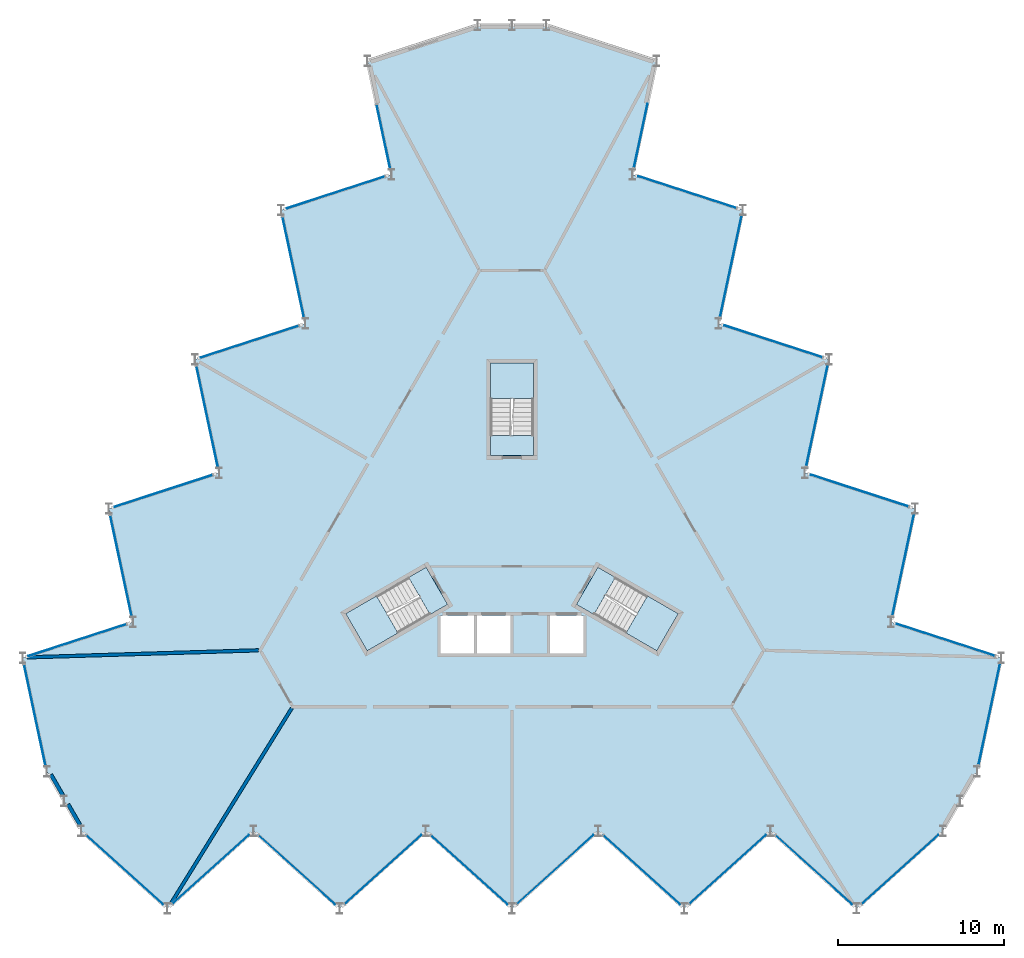
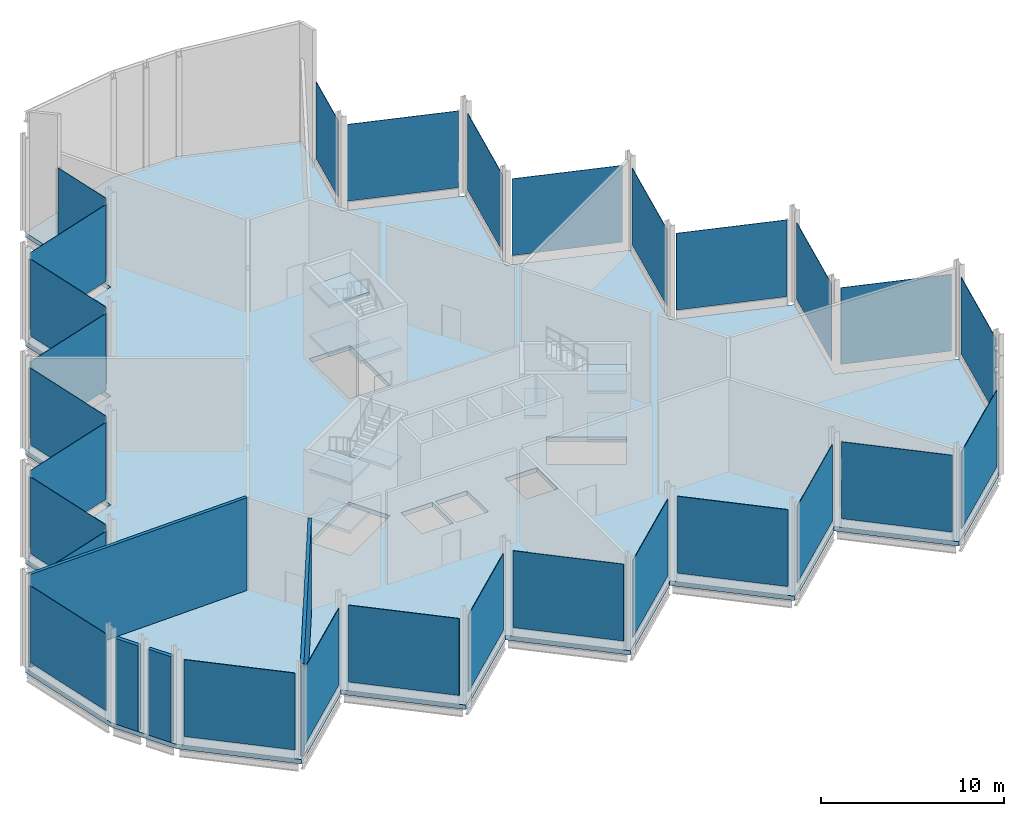
# One storey, part 9 of 12: 28 plates, 10 slabs, 4 walls, 31 elements without a shape of their own.
"""IFC4 building model written with IfcOpenShell, lengths in metres."""

from ifc_helpers import new_model, si_unit, direction, frame, frame_2d, origin, origin_2d, place, context, subcontext, project, spatial, polyline, rectangle, outline, extrude, material, layer, layer_set, type_object, element, aggregate, save


model = new_model("IFC4")

# Units and contexts
model_context = context("Model", 3, precision=1e-05, world=origin(), true_north=direction((0.0, 1.0)))
body_context = subcontext(model_context, "Body", "Model", "MODEL_VIEW")
ifc_project = project(units=[si_unit("LENGTHUNIT", "METRE"), si_unit("AREAUNIT", "SQUARE_METRE"), si_unit("VOLUMEUNIT", "CUBIC_METRE"), si_unit("PLANEANGLEUNIT", "RADIAN"), si_unit("MASSUNIT", "GRAM", prefix="KILO")], contexts=[model_context])

# Site, building, storey
site_placement = place(None, origin())
site = spatial("IfcSite", under=ifc_project, at=site_placement, CompositionType="ELEMENT")
building_placement = place(site_placement, origin())
building = spatial("IfcBuilding", under=site, at=building_placement, Name="Cormorant Prow Tower", CompositionType="ELEMENT")
storey_placement = place(building_placement, frame((0.0, 0.0, 428.199951171875)))
storey = spatial("IfcBuildingStorey", under=building, at=storey_placement, Name="L96", CompositionType="ELEMENT", Elevation=428.199951171875)

# Curtain wall, plate
ifc_material_1 = material(Name="Aluminium 6063-T6", Category="aluminium")
ifc_layer_1 = layer(ifc_material_1, 0.219970703125)
ifc_layer_set_1 = layer_set([ifc_layer_1], Name="Aluminium 6063-T6")
curtain_wall_type = type_object("IfcCurtainWallType", Name="Crown unitised curtain wall 220", PredefinedType="NOTDEFINED", material=ifc_layer_set_1)
curtain_wall_1_placement = place(storey_placement, origin())
curtain_wall_1 = element("IfcCurtainWall", 1, at=curtain_wall_1_placement, inside=storey, type_object=curtain_wall_type, Name="Crown curtain wall crown S00", PredefinedType="NOTDEFINED")
ifc_material_2 = material(Name="Clear glass", Category="glass")
ifc_layer_2 = layer(ifc_material_2, 0.031982421875)
ifc_layer_set_2 = layer_set([ifc_layer_2], Name="Clear glass")
plate_type = type_object("IfcPlateType", Name="Crown glass panel 32", PredefinedType="CURTAIN_PANEL", material=ifc_layer_set_2)
plate_1_placement = place(storey_placement, frame((-23.377685546875, -19.766845703125, 0.60009765625), z_axis=(0.0, 0.0, 1.0), x_axis=(0.743144827638, -0.669130603959, 0.0)))
plate_1 = element("IfcPlate", 2, at=plate_1_placement, type_object=plate_type, Name="Crown glass panel crown S00", PredefinedType="CURTAIN_PANEL", context=body_context, shape_type="SweptSolid", body=[
    extrude(rectangle(XDim=6.205322265625, YDim=0.031982421875, at=origin_2d()), origin(), (0.0, 0.0, 1.0), 5.1337890625),
])
aggregate(curtain_wall_1, [plate_1])

curtain_wall_2_placement = place(storey_placement, origin())
curtain_wall_2 = element("IfcCurtainWall", 3, at=curtain_wall_2_placement, inside=storey, type_object=curtain_wall_type, Name="Crown curtain wall crown S01", PredefinedType="NOTDEFINED")
plate_2_placement = place(storey_placement, frame((-18.177734375, -19.726806640625, 0.60009765625), z_axis=(0.0, 0.0, 1.0), x_axis=(0.743144827638, 0.669130603959, 0.0)))
plate_2 = element("IfcPlate", 4, at=plate_2_placement, type_object=plate_type, Name="Crown glass panel crown S01", PredefinedType="CURTAIN_PANEL", context=body_context, shape_type="SweptSolid", body=[
    extrude(rectangle(XDim=6.205322265625, YDim=0.031982421875, at=origin_2d()), origin(), (0.0, 0.0, 1.0), 5.1337890625),
])
aggregate(curtain_wall_2, [plate_2])

curtain_wall_3_placement = place(storey_placement, origin())
curtain_wall_3 = element("IfcCurtainWall", 5, at=curtain_wall_3_placement, inside=storey, type_object=curtain_wall_type, Name="Crown curtain wall crown S02", PredefinedType="NOTDEFINED")
plate_3_placement = place(storey_placement, frame((-12.977783203125, -19.766845703125, 0.60009765625), z_axis=(0.0, 0.0, 1.0), x_axis=(0.743144827638, -0.669130603959, 0.0)))
plate_3 = element("IfcPlate", 6, at=plate_3_placement, type_object=plate_type, Name="Crown glass panel crown S02", PredefinedType="CURTAIN_PANEL", context=body_context, shape_type="SweptSolid", body=[
    extrude(rectangle(XDim=6.205322265625, YDim=0.031982421875, at=origin_2d()), origin(), (0.0, 0.0, 1.0), 5.1337890625),
])
aggregate(curtain_wall_3, [plate_3])

curtain_wall_4_placement = place(storey_placement, origin())
curtain_wall_4 = element("IfcCurtainWall", 7, at=curtain_wall_4_placement, inside=storey, type_object=curtain_wall_type, Name="Crown curtain wall crown S03", PredefinedType="NOTDEFINED")
plate_4_placement = place(storey_placement, frame((-7.777587890625, -19.726806640625, 0.60009765625), z_axis=(0.0, 0.0, 1.0), x_axis=(0.743144827638, 0.669130603959, 0.0)))
plate_4 = element("IfcPlate", 8, at=plate_4_placement, type_object=plate_type, Name="Crown glass panel crown S03", PredefinedType="CURTAIN_PANEL", context=body_context, shape_type="SweptSolid", body=[
    extrude(rectangle(XDim=6.205322265625, YDim=0.031982421875, at=origin_2d()), origin(), (0.0, 0.0, 1.0), 5.1337890625),
])
aggregate(curtain_wall_4, [plate_4])

curtain_wall_5_placement = place(storey_placement, origin())
curtain_wall_5 = element("IfcCurtainWall", 9, at=curtain_wall_5_placement, inside=storey, type_object=curtain_wall_type, Name="Crown curtain wall crown S04", PredefinedType="NOTDEFINED")
plate_5_placement = place(storey_placement, frame((-2.57763671875, -19.766845703125, 0.60009765625), z_axis=(0.0, 0.0, 1.0), x_axis=(0.743144827638, -0.669130603959, 0.0)))
plate_5 = element("IfcPlate", 10, at=plate_5_placement, type_object=plate_type, Name="Crown glass panel crown S04", PredefinedType="CURTAIN_PANEL", context=body_context, shape_type="SweptSolid", body=[
    extrude(rectangle(XDim=6.205322265625, YDim=0.031982421875, at=origin_2d()), origin(), (0.0, 0.0, 1.0), 5.1337890625),
])
aggregate(curtain_wall_5, [plate_5])

curtain_wall_6_placement = place(storey_placement, origin())
curtain_wall_6 = element("IfcCurtainWall", 11, at=curtain_wall_6_placement, inside=storey, type_object=curtain_wall_type, Name="Crown curtain wall crown S05", PredefinedType="NOTDEFINED")
plate_6_placement = place(storey_placement, frame((2.622314453125, -19.726806640625, 0.60009765625), z_axis=(0.0, 0.0, 1.0), x_axis=(0.743144827638, 0.669130603959, 0.0)))
plate_6 = element("IfcPlate", 12, at=plate_6_placement, type_object=plate_type, Name="Crown glass panel crown S05", PredefinedType="CURTAIN_PANEL", context=body_context, shape_type="SweptSolid", body=[
    extrude(rectangle(XDim=6.205322265625, YDim=0.031982421875, at=origin_2d()), origin(), (0.0, 0.0, 1.0), 5.1337890625),
])
aggregate(curtain_wall_6, [plate_6])

curtain_wall_7_placement = place(storey_placement, origin())
curtain_wall_7 = element("IfcCurtainWall", 13, at=curtain_wall_7_placement, inside=storey, type_object=curtain_wall_type, Name="Crown curtain wall crown S06", PredefinedType="NOTDEFINED")
plate_7_placement = place(storey_placement, frame((7.822265625, -19.766845703125, 0.60009765625), z_axis=(0.0, 0.0, 1.0), x_axis=(0.743144827638, -0.669130603959, 0.0)))
plate_7 = element("IfcPlate", 14, at=plate_7_placement, type_object=plate_type, Name="Crown glass panel crown S06", PredefinedType="CURTAIN_PANEL", context=body_context, shape_type="SweptSolid", body=[
    extrude(rectangle(XDim=6.205322265625, YDim=0.031982421875, at=origin_2d()), origin(), (0.0, 0.0, 1.0), 5.1337890625),
])
aggregate(curtain_wall_7, [plate_7])

curtain_wall_8_placement = place(storey_placement, origin())
curtain_wall_8 = element("IfcCurtainWall", 15, at=curtain_wall_8_placement, inside=storey, type_object=curtain_wall_type, Name="Crown curtain wall crown S07", PredefinedType="NOTDEFINED")
plate_8_placement = place(storey_placement, frame((13.022216796875, -19.726806640625, 0.60009765625), z_axis=(0.0, 0.0, 1.0), x_axis=(0.743144827638, 0.669130603959, 0.0)))
plate_8 = element("IfcPlate", 16, at=plate_8_placement, type_object=plate_type, Name="Crown glass panel crown S07", PredefinedType="CURTAIN_PANEL", context=body_context, shape_type="SweptSolid", body=[
    extrude(rectangle(XDim=6.205322265625, YDim=0.031982421875, at=origin_2d()), origin(), (0.0, 0.0, 1.0), 5.1337890625),
])
aggregate(curtain_wall_8, [plate_8])

curtain_wall_9_placement = place(storey_placement, origin())
curtain_wall_9 = element("IfcCurtainWall", 17, at=curtain_wall_9_placement, inside=storey, type_object=curtain_wall_type, Name="Crown curtain wall crown S08", PredefinedType="NOTDEFINED")
plate_9_placement = place(storey_placement, frame((18.222412109375, -19.766845703125, 0.60009765625), z_axis=(0.0, 0.0, 1.0), x_axis=(0.743144827638, -0.669130603959, 0.0)))
plate_9 = element("IfcPlate", 18, at=plate_9_placement, type_object=plate_type, Name="Crown glass panel crown S08", PredefinedType="CURTAIN_PANEL", context=body_context, shape_type="SweptSolid", body=[
    extrude(rectangle(XDim=6.205322265625, YDim=0.031982421875, at=origin_2d()), origin(), (0.0, 0.0, 1.0), 5.1337890625),
])
aggregate(curtain_wall_9, [plate_9])

curtain_wall_10_placement = place(storey_placement, origin())
curtain_wall_10 = element("IfcCurtainWall", 19, at=curtain_wall_10_placement, inside=storey, type_object=curtain_wall_type, Name="Crown curtain wall crown S09", PredefinedType="NOTDEFINED")
plate_10_placement = place(storey_placement, frame((23.42236328125, -19.726806640625, 0.60009765625), z_axis=(0.0, 0.0, 1.0), x_axis=(0.743144827638, 0.669130603959, 0.0)))
plate_10 = element("IfcPlate", 20, at=plate_10_placement, type_object=plate_type, Name="Crown glass panel crown S09", PredefinedType="CURTAIN_PANEL", context=body_context, shape_type="SweptSolid", body=[
    extrude(rectangle(XDim=6.205322265625, YDim=0.031982421875, at=origin_2d()), origin(), (0.0, 0.0, 1.0), 5.1337890625),
])
aggregate(curtain_wall_10, [plate_10])

curtain_wall_11_placement = place(storey_placement, origin())
curtain_wall_11 = element("IfcCurtainWall", 21, at=curtain_wall_11_placement, inside=storey, type_object=curtain_wall_type, Name="Crown curtain wall crown ENE00", PredefinedType="NOTDEFINED")
plate_11_placement = place(storey_placement, frame((28.807373046875, -10.3623046875, 0.60009765625), z_axis=(0.0, 0.0, 1.0), x_axis=(0.207911620089, 0.978147615768, 0.0)))
plate_11 = element("IfcPlate", 22, at=plate_11_placement, type_object=plate_type, Name="Crown glass panel crown ENE00", PredefinedType="CURTAIN_PANEL", context=body_context, shape_type="SweptSolid", body=[
    extrude(rectangle(XDim=6.205322265625, YDim=0.031982421875, at=origin_2d()), origin(), (0.0, 0.0, 1.0), 5.1337890625),
])
aggregate(curtain_wall_11, [plate_11])

curtain_wall_12_placement = place(storey_placement, origin())
curtain_wall_12 = element("IfcCurtainWall", 23, at=curtain_wall_12_placement, inside=storey, type_object=curtain_wall_type, Name="Crown curtain wall crown ENE01", PredefinedType="NOTDEFINED")
plate_12_placement = place(storey_placement, frame((26.172607421875, -5.87890625, 0.60009765625), z_axis=(0.0, 0.0, 1.0), x_axis=(-0.951056534902, 0.309016937108, 0.0)))
plate_12 = element("IfcPlate", 24, at=plate_12_placement, type_object=plate_type, Name="Crown glass panel crown ENE01", PredefinedType="CURTAIN_PANEL", context=body_context, shape_type="SweptSolid", body=[
    extrude(rectangle(XDim=6.205322265625, YDim=0.031982421875, at=origin_2d()), origin(), (0.0, 0.0, 1.0), 5.1337890625),
])
aggregate(curtain_wall_12, [plate_12])

curtain_wall_13_placement = place(storey_placement, origin())
curtain_wall_13 = element("IfcCurtainWall", 25, at=curtain_wall_13_placement, inside=storey, type_object=curtain_wall_type, Name="Crown curtain wall crown ENE02", PredefinedType="NOTDEFINED")
plate_13_placement = place(storey_placement, frame((23.607421875, -1.355712890625, 0.60009765625), z_axis=(0.0, 0.0, 1.0), x_axis=(0.207911620089, 0.978147615768, 0.0)))
plate_13 = element("IfcPlate", 26, at=plate_13_placement, type_object=plate_type, Name="Crown glass panel crown ENE02", PredefinedType="CURTAIN_PANEL", context=body_context, shape_type="SweptSolid", body=[
    extrude(rectangle(XDim=6.205322265625, YDim=0.031982421875, at=origin_2d()), origin(), (0.0, 0.0, 1.0), 5.1337890625),
])
aggregate(curtain_wall_13, [plate_13])

curtain_wall_14_placement = place(storey_placement, origin())
curtain_wall_14 = element("IfcCurtainWall", 27, at=curtain_wall_14_placement, inside=storey, type_object=curtain_wall_type, Name="Crown curtain wall crown ENE03", PredefinedType="NOTDEFINED")
plate_14_placement = place(storey_placement, frame((20.97265625, 3.127685546875, 0.60009765625), z_axis=(0.0, 0.0, 1.0), x_axis=(-0.951056492904, 0.309017066365, 0.0)))
plate_14 = element("IfcPlate", 28, at=plate_14_placement, type_object=plate_type, Name="Crown glass panel crown ENE03", PredefinedType="CURTAIN_PANEL", context=body_context, shape_type="SweptSolid", body=[
    extrude(rectangle(XDim=6.205322265625, YDim=0.031982421875, at=origin_2d()), origin(), (0.0, 0.0, 1.0), 5.1337890625),
])
aggregate(curtain_wall_14, [plate_14])

curtain_wall_15_placement = place(storey_placement, origin())
curtain_wall_15 = element("IfcCurtainWall", 29, at=curtain_wall_15_placement, inside=storey, type_object=curtain_wall_type, Name="Crown curtain wall crown ENE04", PredefinedType="NOTDEFINED")
plate_15_placement = place(storey_placement, frame((18.407470703125, 7.651123046875, 0.60009765625), z_axis=(0.0, 0.0, 1.0), x_axis=(0.207911649162, 0.978147609588, 0.0)))
plate_15 = element("IfcPlate", 30, at=plate_15_placement, type_object=plate_type, Name="Crown glass panel crown ENE04", PredefinedType="CURTAIN_PANEL", context=body_context, shape_type="SweptSolid", body=[
    extrude(rectangle(XDim=6.205322265625, YDim=0.031982421875, at=origin_2d()), origin(), (0.0, 0.0, 1.0), 5.1337890625),
])
aggregate(curtain_wall_15, [plate_15])

curtain_wall_16_placement = place(storey_placement, origin())
curtain_wall_16 = element("IfcCurtainWall", 31, at=curtain_wall_16_placement, inside=storey, type_object=curtain_wall_type, Name="Crown curtain wall crown ENE05", PredefinedType="NOTDEFINED")
plate_16_placement = place(storey_placement, frame((15.772705078125, 12.13427734375, 0.60009765625), z_axis=(0.0, 0.0, 1.0), x_axis=(-0.951056492904, 0.309017066365, 0.0)))
plate_16 = element("IfcPlate", 32, at=plate_16_placement, type_object=plate_type, Name="Crown glass panel crown ENE05", PredefinedType="CURTAIN_PANEL", context=body_context, shape_type="SweptSolid", body=[
    extrude(rectangle(XDim=6.205322265625, YDim=0.031982421875, at=origin_2d()), origin(), (0.0, 0.0, 1.0), 5.1337890625),
])
aggregate(curtain_wall_16, [plate_16])

curtain_wall_17_placement = place(storey_placement, origin())
curtain_wall_17 = element("IfcCurtainWall", 33, at=curtain_wall_17_placement, inside=storey, type_object=curtain_wall_type, Name="Crown curtain wall crown ENE06", PredefinedType="NOTDEFINED")
plate_17_placement = place(storey_placement, frame((13.20751953125, 16.65771484375, 0.60009765625), z_axis=(0.0, 0.0, 1.0), x_axis=(0.207911620089, 0.978147615768, 0.0)))
plate_17 = element("IfcPlate", 34, at=plate_17_placement, type_object=plate_type, Name="Crown glass panel crown ENE06", PredefinedType="CURTAIN_PANEL", context=body_context, shape_type="SweptSolid", body=[
    extrude(rectangle(XDim=6.205322265625, YDim=0.031982421875, at=origin_2d()), origin(), (0.0, 0.0, 1.0), 5.1337890625),
])
aggregate(curtain_wall_17, [plate_17])

curtain_wall_18_placement = place(storey_placement, origin())
curtain_wall_18 = element("IfcCurtainWall", 35, at=curtain_wall_18_placement, inside=storey, type_object=curtain_wall_type, Name="Crown curtain wall crown ENE07", PredefinedType="NOTDEFINED")
plate_18_placement = place(storey_placement, frame((10.57275390625, 21.140869140625, 0.60009765625), z_axis=(0.0, 0.0, 1.0), x_axis=(-0.951056534902, 0.309016937108, 0.0)))
plate_18 = element("IfcPlate", 36, at=plate_18_placement, type_object=plate_type, Name="Crown glass panel crown ENE07", PredefinedType="CURTAIN_PANEL", context=body_context, shape_type="SweptSolid", body=[
    extrude(rectangle(XDim=6.205322265625, YDim=0.031982421875, at=origin_2d()), origin(), (0.0, 0.0, 1.0), 5.1337890625),
])
aggregate(curtain_wall_18, [plate_18])

curtain_wall_19_placement = place(storey_placement, origin())
curtain_wall_19 = element("IfcCurtainWall", 37, at=curtain_wall_19_placement, inside=storey, type_object=curtain_wall_type, Name="Crown curtain wall crown ENE08", PredefinedType="NOTDEFINED")
plate_19_placement = place(storey_placement, frame((7.771240234375, 24.552734375, 0.60009765625), z_axis=(0.0, 0.0, 1.0), x_axis=(0.207911620089, 0.978147615768, 0.0)))
plate_19 = element("IfcPlate", 38, at=plate_19_placement, type_object=plate_type, Name="Crown glass panel crown ENE08", PredefinedType="CURTAIN_PANEL", context=body_context, shape_type="SweptSolid", body=[
    extrude(rectangle(XDim=3.932373046875, YDim=0.031982421875, at=origin_2d()), origin(), (0.0, 0.0, 1.0), 5.1337890625),
])
aggregate(curtain_wall_19, [plate_19])

curtain_wall_20_placement = place(storey_placement, origin())
curtain_wall_20 = element("IfcCurtainWall", 39, at=curtain_wall_20_placement, inside=storey, type_object=curtain_wall_type, Name="Crown curtain wall crown WNW01", PredefinedType="NOTDEFINED")
plate_20_placement = place(storey_placement, frame((-7.7587890625, 24.494140625, 0.60009765625), z_axis=(0.0, 0.0, 1.0), x_axis=(0.207911620089, -0.978147615768, 0.0)))
plate_20 = element("IfcPlate", 40, at=plate_20_placement, type_object=plate_type, Name="Crown glass panel crown WNW01", PredefinedType="CURTAIN_PANEL", context=body_context, shape_type="SweptSolid", body=[
    extrude(rectangle(XDim=3.932373046875, YDim=0.031982421875, at=origin_2d()), origin(), (0.0, 0.0, 1.0), 5.1337890625),
])
aggregate(curtain_wall_20, [plate_20])

curtain_wall_21_placement = place(storey_placement, origin())
curtain_wall_21 = element("IfcCurtainWall", 41, at=curtain_wall_21_placement, inside=storey, type_object=curtain_wall_type, Name="Crown curtain wall crown WNW02", PredefinedType="NOTDEFINED")
plate_21_placement = place(storey_placement, frame((-10.629638671875, 21.12255859375, 0.60009765625), z_axis=(0.0, 0.0, 1.0), x_axis=(-0.951056534902, -0.309016937108, 0.0)))
plate_21 = element("IfcPlate", 42, at=plate_21_placement, type_object=plate_type, Name="Crown glass panel crown WNW02", PredefinedType="CURTAIN_PANEL", context=body_context, shape_type="SweptSolid", body=[
    extrude(rectangle(XDim=6.205322265625, YDim=0.031982421875, at=origin_2d()), origin(), (0.0, 0.0, 1.0), 5.1337890625),
])
aggregate(curtain_wall_21, [plate_21])

curtain_wall_22_placement = place(storey_placement, origin())
curtain_wall_22 = element("IfcCurtainWall", 43, at=curtain_wall_22_placement, inside=storey, type_object=curtain_wall_type, Name="Crown curtain wall crown WNW03", PredefinedType="NOTDEFINED")
plate_22_placement = place(storey_placement, frame((-13.195068359375, 16.59912109375, 0.60009765625), z_axis=(0.0, 0.0, 1.0), x_axis=(0.207911620089, -0.978147615768, 0.0)))
plate_22 = element("IfcPlate", 44, at=plate_22_placement, type_object=plate_type, Name="Crown glass panel crown WNW03", PredefinedType="CURTAIN_PANEL", context=body_context, shape_type="SweptSolid", body=[
    extrude(rectangle(XDim=6.205322265625, YDim=0.031982421875, at=origin_2d()), origin(), (0.0, 0.0, 1.0), 5.1337890625),
])
aggregate(curtain_wall_22, [plate_22])

curtain_wall_23_placement = place(storey_placement, origin())
curtain_wall_23 = element("IfcCurtainWall", 45, at=curtain_wall_23_placement, inside=storey, type_object=curtain_wall_type, Name="Crown curtain wall crown WNW04", PredefinedType="NOTDEFINED")
plate_23_placement = place(storey_placement, frame((-15.829833984375, 12.11572265625, 0.60009765625), z_axis=(0.0, 0.0, 1.0), x_axis=(-0.951056492904, -0.309017066365, 0.0)))
plate_23 = element("IfcPlate", 46, at=plate_23_placement, type_object=plate_type, Name="Crown glass panel crown WNW04", PredefinedType="CURTAIN_PANEL", context=body_context, shape_type="SweptSolid", body=[
    extrude(rectangle(XDim=6.205322265625, YDim=0.031982421875, at=origin_2d()), origin(), (0.0, 0.0, 1.0), 5.1337890625),
])
aggregate(curtain_wall_23, [plate_23])

curtain_wall_24_placement = place(storey_placement, origin())
curtain_wall_24 = element("IfcCurtainWall", 47, at=curtain_wall_24_placement, inside=storey, type_object=curtain_wall_type, Name="Crown curtain wall crown WNW05", PredefinedType="NOTDEFINED")
plate_24_placement = place(storey_placement, frame((-18.39501953125, 7.59228515625, 0.60009765625), z_axis=(0.0, 0.0, 1.0), x_axis=(0.207911649162, -0.978147609588, 0.0)))
plate_24 = element("IfcPlate", 48, at=plate_24_placement, type_object=plate_type, Name="Crown glass panel crown WNW05", PredefinedType="CURTAIN_PANEL", context=body_context, shape_type="SweptSolid", body=[
    extrude(rectangle(XDim=6.205322265625, YDim=0.031982421875, at=origin_2d()), origin(), (0.0, 0.0, 1.0), 5.1337890625),
])
aggregate(curtain_wall_24, [plate_24])

curtain_wall_25_placement = place(storey_placement, origin())
curtain_wall_25 = element("IfcCurtainWall", 49, at=curtain_wall_25_placement, inside=storey, type_object=curtain_wall_type, Name="Crown curtain wall crown WNW06", PredefinedType="NOTDEFINED")
plate_25_placement = place(storey_placement, frame((-21.02978515625, 3.109130859375, 0.60009765625), z_axis=(0.0, 0.0, 1.0), x_axis=(-0.951056492904, -0.309017066365, 0.0)))
plate_25 = element("IfcPlate", 50, at=plate_25_placement, type_object=plate_type, Name="Crown glass panel crown WNW06", PredefinedType="CURTAIN_PANEL", context=body_context, shape_type="SweptSolid", body=[
    extrude(rectangle(XDim=6.205322265625, YDim=0.031982421875, at=origin_2d()), origin(), (0.0, 0.0, 1.0), 5.1337890625),
])
aggregate(curtain_wall_25, [plate_25])

curtain_wall_26_placement = place(storey_placement, origin())
curtain_wall_26 = element("IfcCurtainWall", 51, at=curtain_wall_26_placement, inside=storey, type_object=curtain_wall_type, Name="Crown curtain wall crown WNW07", PredefinedType="NOTDEFINED")
plate_26_placement = place(storey_placement, frame((-23.594970703125, -1.414306640625, 0.60009765625), z_axis=(0.0, 0.0, 1.0), x_axis=(0.207911620089, -0.978147615768, 0.0)))
plate_26 = element("IfcPlate", 52, at=plate_26_placement, type_object=plate_type, Name="Crown glass panel crown WNW07", PredefinedType="CURTAIN_PANEL", context=body_context, shape_type="SweptSolid", body=[
    extrude(rectangle(XDim=6.205322265625, YDim=0.031982421875, at=origin_2d()), origin(), (0.0, 0.0, 1.0), 5.1337890625),
])
aggregate(curtain_wall_26, [plate_26])

curtain_wall_27_placement = place(storey_placement, origin())
curtain_wall_27 = element("IfcCurtainWall", 53, at=curtain_wall_27_placement, inside=storey, type_object=curtain_wall_type, Name="Crown curtain wall crown WNW08", PredefinedType="NOTDEFINED")
plate_27_placement = place(storey_placement, frame((-26.229736328125, -5.8974609375, 0.60009765625), z_axis=(0.0, 0.0, 1.0), x_axis=(-0.951056534902, -0.309016937108, 0.0)))
plate_27 = element("IfcPlate", 54, at=plate_27_placement, type_object=plate_type, Name="Crown glass panel crown WNW08", PredefinedType="CURTAIN_PANEL", context=body_context, shape_type="SweptSolid", body=[
    extrude(rectangle(XDim=6.205322265625, YDim=0.031982421875, at=origin_2d()), origin(), (0.0, 0.0, 1.0), 5.1337890625),
])
aggregate(curtain_wall_27, [plate_27])

curtain_wall_28_placement = place(storey_placement, origin())
curtain_wall_28 = element("IfcCurtainWall", 55, at=curtain_wall_28_placement, inside=storey, type_object=curtain_wall_type, Name="Crown curtain wall crown WNW09", PredefinedType="NOTDEFINED")
plate_28_placement = place(storey_placement, frame((-28.794921875, -10.4208984375, 0.60009765625), z_axis=(0.0, 0.0, 1.0), x_axis=(0.207911620089, -0.978147615768, 0.0)))
plate_28 = element("IfcPlate", 56, at=plate_28_placement, type_object=plate_type, Name="Crown glass panel crown WNW09", PredefinedType="CURTAIN_PANEL", context=body_context, shape_type="SweptSolid", body=[
    extrude(rectangle(XDim=6.205322265625, YDim=0.031982421875, at=origin_2d()), origin(), (0.0, 0.0, 1.0), 5.1337890625),
])
aggregate(curtain_wall_28, [plate_28])

# Slab
ifc_material_3 = material(Name="Concrete C40/50", Category="concrete")
ifc_layer_3 = layer(ifc_material_3, 0.300048828125)
ifc_layer_set_3 = layer_set([ifc_layer_3], Name="Concrete C40/50")
slab_type_1 = type_object("IfcSlabType", Name="Post-tensioned flat slab 300", PredefinedType="FLOOR", material=ifc_layer_set_3)
slab_1_placement = place(storey_placement, frame((0.0, 0.0, -0.300048828125)))
element("IfcSlab", 57, at=slab_1_placement, inside=storey, type_object=slab_type_1, Name="Floor slab L96", PredefinedType="FLOOR", context=body_context, shape_type="SweptSolid", body=[
    extrude(outline(polyline([(-19.128662109375, 11.0439453125), (-17.673828125, 4.199462890625), (-24.32861328125, 2.037353515625), (-22.873779296875, -4.80712890625), (-29.528564453125, -6.969482421875), (-28.07373046875, -13.813720703125), (-27.036865234375, -15.60986328125), (-26.0, -17.40576171875), (-20.800048828125, -22.087890625), (-15.60009765625, -17.40576171875), (-10.39990234375, -22.087890625), (-5.199951171875, -17.40576171875), (0.0, -22.087890625), (5.199951171875, -17.40576171875), (10.39990234375, -22.087890625), (15.60009765625, -17.40576171875), (20.800048828125, -22.087890625), (26.0, -17.40576171875), (27.036865234375, -15.60986328125), (28.07373046875, -13.813720703125), (29.528564453125, -6.969482421875), (22.873779296875, -4.80712890625), (24.32861328125, 2.037353515625), (17.673828125, 4.199462890625), (19.128662109375, 11.0439453125), (12.473876953125, 13.206298828125), (13.9287109375, 20.050537109375), (7.273681640625, 22.212890625), (8.728515625, 29.05712890625), (2.07373046875, 31.219482421875), (0.0, 31.219482421875), (-2.07373046875, 31.219482421875), (-8.728515625, 29.05712890625), (-7.273681640625, 22.212890625), (-13.9287109375, 20.050537109375), (-12.473876953125, 13.206298828125), (-19.128662109375, 11.0439453125)]), holes=[polyline([(-4.300048828125, -4.39990234375), (-2.300048828125, -4.39990234375), (-2.300048828125, -6.699951171875), (-4.300048828125, -6.699951171875), (-4.300048828125, -4.39990234375)]), polyline([(-0.10009765625, -4.39990234375), (-0.10009765625, -6.699951171875), (-2.10009765625, -6.699951171875), (-2.10009765625, -4.39990234375), (-0.10009765625, -4.39990234375)]), polyline([(4.300048828125, -6.699951171875), (2.300048828125, -6.699951171875), (2.300048828125, -4.39990234375), (4.300048828125, -4.39990234375), (4.300048828125, -6.699951171875)]), polyline([(-4.947509765625, -4.3505859375), (-8.738037109375, -6.5390625), (-10.031982421875, -4.2978515625), (-6.241455078125, -2.109375), (-4.947509765625, -4.3505859375)]), polyline([(10.031982421875, -4.2978515625), (8.738037109375, -6.5390625), (4.947509765625, -4.3505859375), (6.241455078125, -2.109375), (10.031982421875, -4.2978515625)]), polyline([(1.2939453125, 10.8369140625), (1.2939453125, 6.459716796875), (-1.2939453125, 6.459716796875), (-1.2939453125, 10.8369140625), (1.2939453125, 10.8369140625)])]), origin(), (0.0, 0.0, 1.0), 0.300048828125),
])

# Stair, slabs
ifc_material_4 = material(Name="Exit stair 36 risers")
stair_type = type_object("IfcStairType", Name="Exit stair 36 risers", PredefinedType="HALF_TURN_STAIR", material=ifc_material_4)
stair_1_placement = place(storey_placement, origin())
stair_1 = element("IfcStair", 58, at=stair_1_placement, inside=storey, type_object=stair_type, Name="L96 Exit stair ST1", PredefinedType="HALF_TURN_STAIR")
ifc_material_5 = material(Name="Concrete 5000 psi", Category="concrete")
ifc_layer_4 = layer(ifc_material_5, 0.199951171875)
ifc_layer_set_4 = layer_set([ifc_layer_4], Name="Concrete 5000 psi")
slab_type_2 = type_object("IfcSlabType", Name="Stair landing 200", PredefinedType="LANDING", material=ifc_layer_set_4)
slab_2_placement = place(storey_placement, frame((0.0, 0.0, 1.425048828125)))
slab_2 = element("IfcSlab", 59, at=slab_2_placement, type_object=slab_type_2, Name="ST1 landing 1", PredefinedType="LANDING", context=body_context, shape_type="SweptSolid", body=[
    extrude(outline(polyline([(-8.17431640625, -3.225341796875), (-10.031982421875, -4.2978515625), (-8.738037109375, -6.5390625), (-6.88037109375, -5.466552734375), (-8.17431640625, -3.225341796875)])), origin(), (0.0, 0.0, 1.0), 0.199951171875),
])
slab_3_placement = place(storey_placement, frame((0.0, 0.0, 3.050048828125)))
slab_3 = element("IfcSlab", 60, at=slab_3_placement, type_object=slab_type_2, Name="ST1 landing 2", PredefinedType="LANDING", context=body_context, shape_type="SweptSolid", body=[
    extrude(outline(polyline([(-5.18212890625, -1.497802734375), (-6.241455078125, -2.109375), (-4.947265625, -4.3505859375), (-3.88818359375, -3.739013671875), (-5.18212890625, -1.497802734375)])), origin(), (0.0, 0.0, 1.0), 0.199951171875),
])
slab_4_placement = place(storey_placement, frame((0.0, 0.0, 4.675048828125)))
slab_4 = element("IfcSlab", 61, at=slab_4_placement, type_object=slab_type_2, Name="ST1 landing 3", PredefinedType="LANDING", context=body_context, shape_type="SweptSolid", body=[
    extrude(outline(polyline([(-8.17431640625, -3.225341796875), (-10.031982421875, -4.2978515625), (-8.738037109375, -6.5390625), (-6.88037109375, -5.466552734375), (-8.17431640625, -3.225341796875)])), origin(), (0.0, 0.0, 1.0), 0.199951171875),
])
aggregate(stair_1, [slab_2, slab_3, slab_4])

stair_2_placement = place(storey_placement, origin())
stair_2 = element("IfcStair", 62, at=stair_2_placement, inside=storey, type_object=stair_type, Name="L96 Exit stair ST2", PredefinedType="HALF_TURN_STAIR")
slab_5_placement = place(storey_placement, frame((0.0, 0.0, 1.425048828125)))
slab_5 = element("IfcSlab", 63, at=slab_5_placement, type_object=slab_type_2, Name="ST2 landing 1", PredefinedType="LANDING", context=body_context, shape_type="SweptSolid", body=[
    extrude(outline(polyline([(6.88037109375, -5.466552734375), (8.738037109375, -6.5390625), (10.031982421875, -4.2978515625), (8.17431640625, -3.225341796875), (6.88037109375, -5.466552734375)])), origin(), (0.0, 0.0, 1.0), 0.199951171875),
])
slab_6_placement = place(storey_placement, frame((0.0, 0.0, 3.050048828125)))
slab_6 = element("IfcSlab", 64, at=slab_6_placement, type_object=slab_type_2, Name="ST2 landing 2", PredefinedType="LANDING", context=body_context, shape_type="SweptSolid", body=[
    extrude(outline(polyline([(3.88818359375, -3.739013671875), (4.947265625, -4.3505859375), (6.241455078125, -2.109375), (5.18212890625, -1.497802734375), (3.88818359375, -3.739013671875)])), origin(), (0.0, 0.0, 1.0), 0.199951171875),
])
slab_7_placement = place(storey_placement, frame((0.0, 0.0, 4.675048828125)))
slab_7 = element("IfcSlab", 65, at=slab_7_placement, type_object=slab_type_2, Name="ST2 landing 3", PredefinedType="LANDING", context=body_context, shape_type="SweptSolid", body=[
    extrude(outline(polyline([(6.88037109375, -5.466552734375), (8.738037109375, -6.5390625), (10.031982421875, -4.2978515625), (8.17431640625, -3.225341796875), (6.88037109375, -5.466552734375)])), origin(), (0.0, 0.0, 1.0), 0.199951171875),
])
aggregate(stair_2, [slab_5, slab_6, slab_7])

stair_3_placement = place(storey_placement, origin())
stair_3 = element("IfcStair", 66, at=stair_3_placement, inside=storey, type_object=stair_type, Name="L96 Exit stair ST3", PredefinedType="HALF_TURN_STAIR")
slab_8_placement = place(storey_placement, frame((0.0, 0.0, 1.425048828125)))
slab_8 = element("IfcSlab", 67, at=slab_8_placement, type_object=slab_type_2, Name="ST3 landing 1", PredefinedType="LANDING", context=body_context, shape_type="SweptSolid", body=[
    extrude(outline(polyline([(1.2939453125, 8.69189453125), (1.2939453125, 10.8369140625), (-1.2939453125, 10.8369140625), (-1.2939453125, 8.69189453125), (1.2939453125, 8.69189453125)])), origin(), (0.0, 0.0, 1.0), 0.199951171875),
])
slab_9_placement = place(storey_placement, frame((0.0, 0.0, 3.050048828125)))
slab_9 = element("IfcSlab", 68, at=slab_9_placement, type_object=slab_type_2, Name="ST3 landing 2", PredefinedType="LANDING", context=body_context, shape_type="SweptSolid", body=[
    extrude(outline(polyline([(1.2939453125, 5.23681640625), (1.2939453125, 6.459716796875), (-1.2939453125, 6.459716796875), (-1.2939453125, 5.23681640625), (1.2939453125, 5.23681640625)])), origin(), (0.0, 0.0, 1.0), 0.199951171875),
])
slab_10_placement = place(storey_placement, frame((0.0, 0.0, 4.675048828125)))
slab_10 = element("IfcSlab", 69, at=slab_10_placement, type_object=slab_type_2, Name="ST3 landing 3", PredefinedType="LANDING", context=body_context, shape_type="SweptSolid", body=[
    extrude(outline(polyline([(1.2939453125, 8.69189453125), (1.2939453125, 10.8369140625), (-1.2939453125, 10.8369140625), (-1.2939453125, 8.69189453125), (1.2939453125, 8.69189453125)])), origin(), (0.0, 0.0, 1.0), 0.199951171875),
])
aggregate(stair_3, [slab_8, slab_9, slab_10])

# Walls
ifc_material_6 = material(Name="Gypsum board demising wall")
ifc_layer_5 = layer(ifc_material_6, 0.199951171875)
ifc_layer_set_5 = layer_set([ifc_layer_5], Name="Gypsum board demising wall")
wall_type_1 = type_object("IfcWallType", Name="Demising wall 200", PredefinedType="PARTITIONING", material=ifc_layer_set_5)
wall_1_placement = place(storey_placement, frame((-29.260498046875, -6.934814453125, 0.0), z_axis=(0.0, 0.0, 1.0), x_axis=(0.999534583604, 0.030506002359, 0.0)))
element("IfcWall", 70, at=wall_1_placement, inside=storey, type_object=wall_type_1, Name="Demising wall", PredefinedType="PARTITIONING", context=body_context, shape_type="SweptSolid", body=[
    extrude(rectangle(XDim=13.973388671875, YDim=0.199951171875, at=frame_2d((6.98681640625, 0.0))), origin(), (0.0, 0.0, 1.0), 6.199951171875),
])
wall_2_placement = place(storey_placement, frame((-20.608154296875, -21.827880859375, 0.0), z_axis=(0.0, 0.0, 1.0), x_axis=(0.526187960676, 0.850368290825, 0.0)))
element("IfcWall", 71, at=wall_2_placement, inside=storey, type_object=wall_type_1, Name="Demising wall", PredefinedType="PARTITIONING", context=body_context, shape_type="SweptSolid", body=[
    extrude(rectangle(XDim=13.92041015625, YDim=0.199951171875, at=frame_2d((6.960205078125, 0.0))), origin(), (0.0, 0.0, 1.0), 6.199951171875),
])
ifc_material_7 = material(Name="Terracotta", Category="masonry")
ifc_layer_6 = layer(ifc_material_7, 0.22998046875)
ifc_layer_set_6 = layer_set([ifc_layer_6], Name="Terracotta")
wall_type_2 = type_object("IfcWallType", Name="Terracotta crown cladding wall 230", PredefinedType="SOLIDWALL", material=ifc_layer_set_6)
for number, where, z_axis, x_axis, name in (
    (72, (-27.830810546875, -14.004638671875, 0.0), (0.0, 0.0, 1.0), (0.500001025616, -0.866024811644, 0.0), "Terracotta crown wall WSW00"),
    (73, (-26.7939453125, -15.800537109375, 0.0), (0.0, 0.0, 1.0), (0.500001025616, -0.866024811644, 0.0), "Terracotta crown wall WSW01"),
):
    element("IfcWall", number, at=place(storey_placement, frame(where, z_axis=z_axis, x_axis=x_axis)), inside=storey, type_object=wall_type_2, Name=name, PredefinedType="SOLIDWALL", context=body_context, shape_type="SweptSolid", body=[
        extrude(rectangle(XDim=1.44140625, YDim=0.22998046875, at=frame_2d((0.720703125, 0.0))), origin(), (0.0, 0.0, 1.0), 5.73388671875),
    ])

save(model, "model.ifc")
